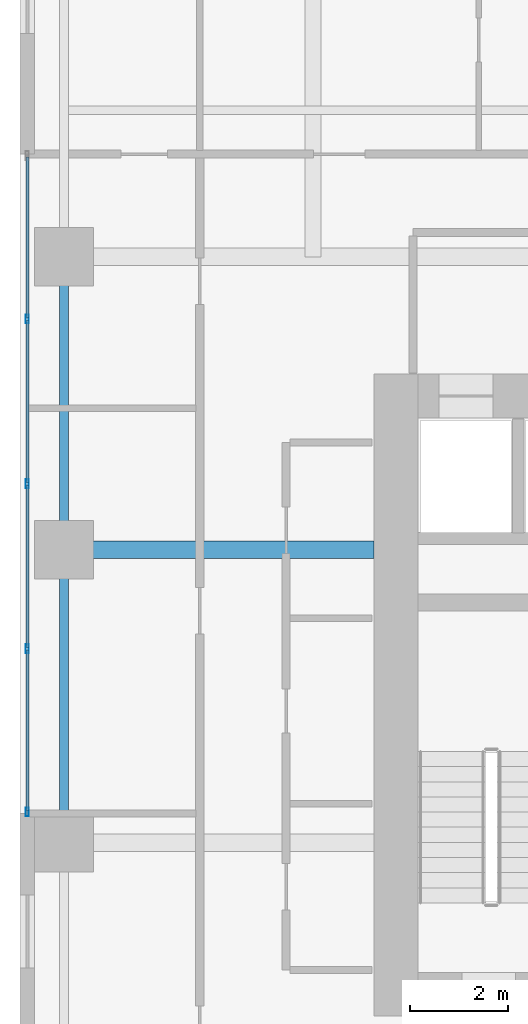
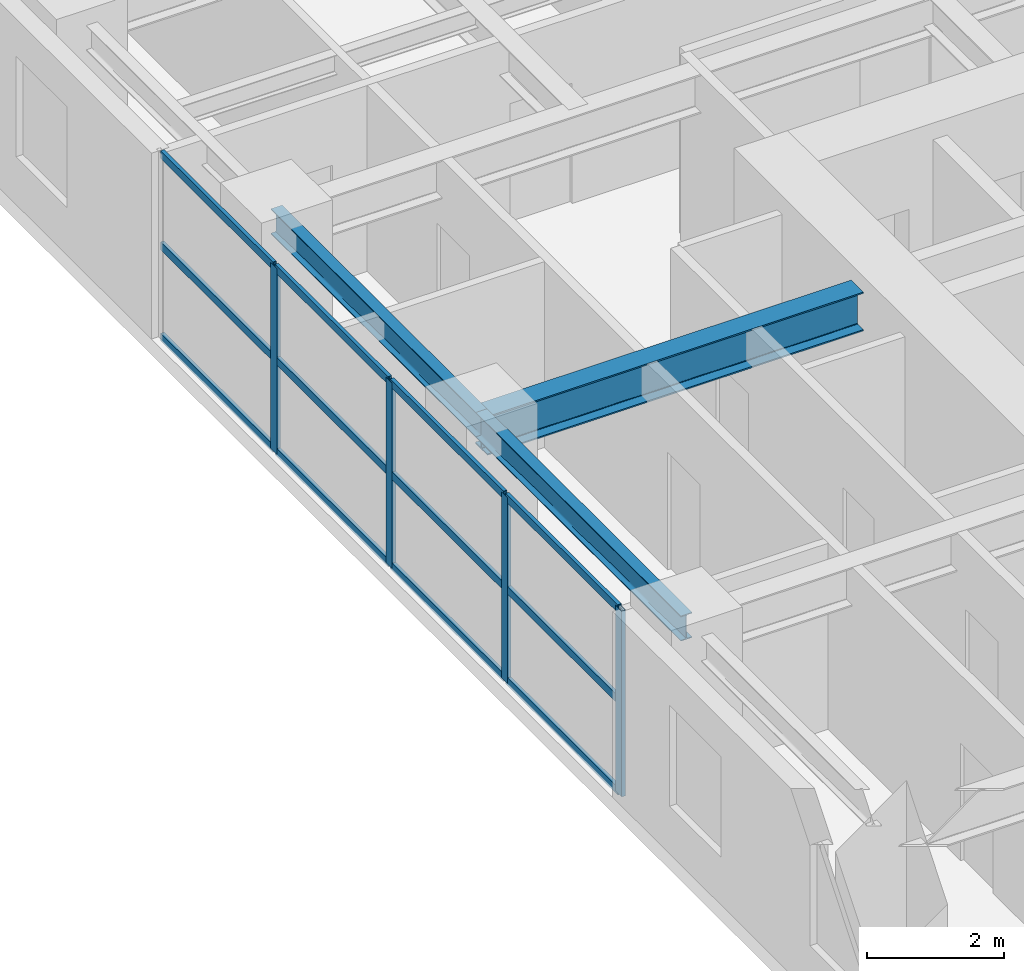
# One storey, part 5 of 24: 16 members, 3 beams, 1 element without a shape of its own.
"""IFC4 building model written with IfcOpenShell, lengths in metres."""

from ifc_helpers import new_model, si_unit, direction, frame, origin, origin_2d, place, context, subcontext, project, spatial, hollow_rectangle, i_section, extrude, source, transform, mapped, material, layer, layer_set, material_profile, profile_set, type_object, element, aggregate, save


model = new_model("IFC4")

# Units and contexts
model_context = context("Model", 3, precision=1e-05, world=origin(), true_north=direction((0.0, 1.0)))
body_context = subcontext(model_context, "Body", "Model", "MODEL_VIEW")
ifc_project = project(units=[si_unit("LENGTHUNIT", "METRE"), si_unit("AREAUNIT", "SQUARE_METRE"), si_unit("VOLUMEUNIT", "CUBIC_METRE"), si_unit("PLANEANGLEUNIT", "RADIAN"), si_unit("MASSUNIT", "GRAM", prefix="KILO")], contexts=[model_context])

# Site, building, storey
site_placement = place(None, origin())
site = spatial("IfcSite", under=ifc_project, at=site_placement, CompositionType="ELEMENT")
building_placement = place(site_placement, origin())
building = spatial("IfcBuilding", under=site, at=building_placement, Name="Khoralis Quay Care Tower", CompositionType="ELEMENT")
storey_placement = place(building_placement, frame((0.0, 0.0, 54.89990234375)))
storey = spatial("IfcBuildingStorey", under=building, at=storey_placement, Name="L14", CompositionType="ELEMENT", Elevation=54.89990234375)

# Beams
ifc_material_1 = material(Name="Steel S355", Category="steel")
ifc_material_profile_1 = material_profile(ifc_material_1, i_section(OverallWidth=0.18994140625, OverallDepth=0.449951171875, WebThickness=0.009521484375, FlangeThickness=0.0146484375, FilletRadius=0.02099609375, at=origin_2d()), Name="Steel S355")
ifc_profile_set_1 = profile_set([ifc_material_profile_1], Name="Steel S355")
beam_type_1 = type_object("IfcBeamType", Name="BM-IPE450", PredefinedType="SPANDREL", material=ifc_profile_set_1)
shared_shape_1 = source(origin(), body_context, "Body", "SweptSolid", [
    extrude(i_section(OverallWidth=0.18994140625, OverallDepth=0.449951171875, WebThickness=0.009521484375, FlangeThickness=0.0146484375, FilletRadius=0.02099609375, at=origin_2d()), origin(), (0.0, 0.0, 1.0), 6.0),
])
for number, where, z_axis, x_axis, name in (
    (1, (0.89990234375, 18.0, 3.09521484375), (0.0, 1.0, 0.0), (-1.0, 0.0, 0.0), "BM-TSP-L14-15"),
    (2, (0.89990234375, 24.0, 3.09521484375), (0.0, 1.0, 0.0), (-1.0, 0.0, 0.0), "BM-TSP-L14-16"),
):
    element("IfcBeam", number, at=place(storey_placement, frame(where, z_axis=z_axis, x_axis=x_axis)), inside=storey, type_object=beam_type_1, Name=name, PredefinedType="SPANDREL", context=body_context, shape_type="MappedRepresentation", body=[
        mapped(shared_shape_1, transform((0.0, 0.0, 0.0), scale=1.0)),
    ])
ifc_material_profile_2 = material_profile(ifc_material_1, i_section(OverallWidth=0.35498046875, OverallDepth=0.695068359375, WebThickness=0.015380859375, FlangeThickness=0.02490234375, FilletRadius=0.02001953125, at=origin_2d()), Name="Steel S355")
ifc_profile_set_2 = profile_set([ifc_material_profile_2], Name="Steel S355")
beam_type_2 = type_object("IfcBeamType", Name="BM-W690X217", PredefinedType="BEAM", material=ifc_profile_set_2)
shared_shape_2 = source(origin(), body_context, "Body", "SweptSolid", [
    extrude(i_section(OverallWidth=0.35498046875, OverallDepth=0.695068359375, WebThickness=0.015380859375, FlangeThickness=0.02490234375, FilletRadius=0.02001953125, at=origin_2d()), origin(), (0.0, 0.0, 1.0), 6.35205078125),
])
beam_placement = place(storey_placement, frame((0.89990234375, 24.0, 2.97265625), z_axis=(1.0, 0.0, 0.0), x_axis=(0.0, 1.0, 0.0)))
element("IfcBeam", 3, at=beam_placement, inside=storey, type_object=beam_type_2, Name="BM-TGXW-L14-240", PredefinedType="BEAM", context=body_context, shape_type="MappedRepresentation", body=[
    mapped(shared_shape_2, transform((0.0, 0.0, 0.0), scale=1.0)),
])

# Curtain wall, members
ifc_material_2 = material(Name="Pale anodised aluminium", Category="aluminium")
ifc_layer = layer(ifc_material_2, 0.179931640625)
ifc_layer_set = layer_set([ifc_layer], Name="Pale anodised aluminium")
curtain_wall_type = type_object("IfcCurtainWallType", Name="CW-SYS-Z1", PredefinedType="NOTDEFINED", material=ifc_layer_set)
curtain_wall_placement = place(storey_placement, origin())
curtain_wall = element("IfcCurtainWall", 4, at=curtain_wall_placement, inside=storey, type_object=curtain_wall_type, Name="L14 Unitised Curtain Wall CW-L14-P1-E15", PredefinedType="NOTDEFINED")
ifc_material_profile_3 = material_profile(ifc_material_2, hollow_rectangle(XDim=0.06494140625, YDim=0.179931640625, WallThickness=0.00390625, at=origin_2d()), Name="Pale anodised aluminium")
ifc_profile_set_3 = profile_set([ifc_material_profile_3], Name="Pale anodised aluminium")
member_type_1 = type_object("IfcMemberType", Name="CW-MUL-180", PredefinedType="MULLION", material=ifc_profile_set_3)
shared_shape_3 = source(origin(), body_context, "Body", "SweptSolid", [
    extrude(hollow_rectangle(XDim=0.06494140625, YDim=0.179931640625, WallThickness=0.00390625, at=origin_2d()), origin(), (0.0, 0.0, 1.0), 3.320068359375),
])
member_1_placement = place(storey_placement, frame((0.14990234375, 28.72509765625, 0.0), z_axis=(0.0, 0.0, 1.0), x_axis=(1.0, 0.0, 0.0)))
member_1 = element("IfcMember", 5, at=member_1_placement, type_object=member_type_1, Name="CW1 mullion 2", PredefinedType="MULLION", context=body_context, shape_type="MappedRepresentation", body=[
    mapped(shared_shape_3, transform((0.0, 0.0, 0.0), scale=1.0)),
])
member_2_placement = place(storey_placement, frame((0.14990234375, 25.35009765625, 0.0), z_axis=(0.0, 0.0, 1.0), x_axis=(1.0, 0.0, 0.0)))
member_2 = element("IfcMember", 6, at=member_2_placement, type_object=member_type_1, Name="CW1 mullion 3", PredefinedType="MULLION", context=body_context, shape_type="MappedRepresentation", body=[
    mapped(shared_shape_3, transform((0.0, 0.0, 0.0), scale=1.0)),
])
member_3_placement = place(storey_placement, frame((0.14990234375, 21.97509765625, 0.0), z_axis=(0.0, 0.0, 1.0), x_axis=(1.0, 0.0, 0.0)))
member_3 = element("IfcMember", 7, at=member_3_placement, type_object=member_type_1, Name="CW1 mullion 4", PredefinedType="MULLION", context=body_context, shape_type="MappedRepresentation", body=[
    mapped(shared_shape_3, transform((0.0, 0.0, 0.0), scale=1.0)),
])
member_4_placement = place(storey_placement, frame((0.14990234375, 18.6298828125, 0.0), z_axis=(0.0, 0.0, 1.0), x_axis=(1.0, 0.0, 0.0)))
member_4 = element("IfcMember", 8, at=member_4_placement, type_object=member_type_1, Name="CW1 mullion 5", PredefinedType="MULLION", context=body_context, shape_type="MappedRepresentation", body=[
    mapped(shared_shape_3, transform((0.0, 0.0, 0.0), scale=1.0)),
])
ifc_material_profile_4 = material_profile(ifc_material_2, hollow_rectangle(XDim=0.06005859375, YDim=0.139892578125, WallThickness=0.00390625, at=origin_2d()), Name="Pale anodised aluminium")
ifc_profile_set_4 = profile_set([ifc_material_profile_4], Name="Pale anodised aluminium")
member_type_2 = type_object("IfcMemberType", Name="CW-TRN-140", PredefinedType="USERDEFINED", material=ifc_profile_set_4)
shared_shape_4 = source(origin(), body_context, "Body", "SweptSolid", [
    extrude(hollow_rectangle(XDim=0.06005859375, YDim=0.139892578125, WallThickness=0.00390625, at=origin_2d()), origin(), (0.0, 0.0, 1.0), 3.28515625),
])
member_5_placement = place(storey_placement, frame((0.14990234375, 32.0400390625, 0.030029296875), z_axis=(0.0, -1.0, 0.0), x_axis=(1.0, 0.0, 0.0)))
member_5 = element("IfcMember", 9, at=member_5_placement, type_object=member_type_2, Name="CW1 transom 1.1", ObjectType="TRANSOM", PredefinedType="USERDEFINED", context=body_context, shape_type="MappedRepresentation", body=[
    mapped(shared_shape_4, transform((0.0, 0.0, 0.0), scale=1.0)),
])
member_6_placement = place(storey_placement, frame((0.14990234375, 32.0400390625, 1.66015625), z_axis=(0.0, -1.0, 0.0), x_axis=(1.0, 0.0, 0.0)))
member_6 = element("IfcMember", 10, at=member_6_placement, type_object=member_type_2, Name="CW1 transom 1.2", ObjectType="TRANSOM", PredefinedType="USERDEFINED", context=body_context, shape_type="MappedRepresentation", body=[
    mapped(shared_shape_4, transform((0.0, 0.0, 0.0), scale=1.0)),
])
member_7_placement = place(storey_placement, frame((0.14990234375, 32.0400390625, 3.2900390625), z_axis=(0.0, -1.0, 0.0), x_axis=(1.0, 0.0, 0.0)))
member_7 = element("IfcMember", 11, at=member_7_placement, type_object=member_type_2, Name="CW1 transom 1.3", ObjectType="TRANSOM", PredefinedType="USERDEFINED", context=body_context, shape_type="MappedRepresentation", body=[
    mapped(shared_shape_4, transform((0.0, 0.0, 0.0), scale=1.0)),
])
member_8_placement = place(storey_placement, frame((0.14990234375, 21.945068359375, 0.030029296875), z_axis=(0.0, -1.0, 0.0), x_axis=(1.0, 0.0, 0.0)))
member_8 = element("IfcMember", 12, at=member_8_placement, type_object=member_type_2, Name="CW1 transom 4.1", ObjectType="TRANSOM", PredefinedType="USERDEFINED", context=body_context, shape_type="MappedRepresentation", body=[
    mapped(shared_shape_4, transform((0.0, 0.0, 0.0), scale=1.0)),
])
member_9_placement = place(storey_placement, frame((0.14990234375, 21.945068359375, 1.66015625), z_axis=(0.0, -1.0, 0.0), x_axis=(1.0, 0.0, 0.0)))
member_9 = element("IfcMember", 13, at=member_9_placement, type_object=member_type_2, Name="CW1 transom 4.2", ObjectType="TRANSOM", PredefinedType="USERDEFINED", context=body_context, shape_type="MappedRepresentation", body=[
    mapped(shared_shape_4, transform((0.0, 0.0, 0.0), scale=1.0)),
])
member_10_placement = place(storey_placement, frame((0.14990234375, 21.945068359375, 3.2900390625), z_axis=(0.0, -1.0, 0.0), x_axis=(1.0, 0.0, 0.0)))
member_10 = element("IfcMember", 14, at=member_10_placement, type_object=member_type_2, Name="CW1 transom 4.3", ObjectType="TRANSOM", PredefinedType="USERDEFINED", context=body_context, shape_type="MappedRepresentation", body=[
    mapped(shared_shape_4, transform((0.0, 0.0, 0.0), scale=1.0)),
])
shared_shape_5 = source(origin(), body_context, "Body", "SweptSolid", [
    extrude(hollow_rectangle(XDim=0.06005859375, YDim=0.139892578125, WallThickness=0.00390625, at=origin_2d()), origin(), (0.0, 0.0, 1.0), 3.315185546875),
])
member_11_placement = place(storey_placement, frame((0.14990234375, 28.695068359375, 0.030029296875), z_axis=(0.0, -1.0, 0.0), x_axis=(1.0, 0.0, 0.0)))
member_11 = element("IfcMember", 15, at=member_11_placement, type_object=member_type_2, Name="CW1 transom 2.1", ObjectType="TRANSOM", PredefinedType="USERDEFINED", context=body_context, shape_type="MappedRepresentation", body=[
    mapped(shared_shape_5, transform((0.0, 0.0, 0.0), scale=1.0)),
])
member_12_placement = place(storey_placement, frame((0.14990234375, 28.695068359375, 1.66015625), z_axis=(0.0, -1.0, 0.0), x_axis=(1.0, 0.0, 0.0)))
member_12 = element("IfcMember", 16, at=member_12_placement, type_object=member_type_2, Name="CW1 transom 2.2", ObjectType="TRANSOM", PredefinedType="USERDEFINED", context=body_context, shape_type="MappedRepresentation", body=[
    mapped(shared_shape_5, transform((0.0, 0.0, 0.0), scale=1.0)),
])
member_13_placement = place(storey_placement, frame((0.14990234375, 28.695068359375, 3.2900390625), z_axis=(0.0, -1.0, 0.0), x_axis=(1.0, 0.0, 0.0)))
member_13 = element("IfcMember", 17, at=member_13_placement, type_object=member_type_2, Name="CW1 transom 2.3", ObjectType="TRANSOM", PredefinedType="USERDEFINED", context=body_context, shape_type="MappedRepresentation", body=[
    mapped(shared_shape_5, transform((0.0, 0.0, 0.0), scale=1.0)),
])
member_14_placement = place(storey_placement, frame((0.14990234375, 25.320068359375, 0.030029296875), z_axis=(0.0, -1.0, 0.0), x_axis=(1.0, 0.0, 0.0)))
member_14 = element("IfcMember", 18, at=member_14_placement, type_object=member_type_2, Name="CW1 transom 3.1", ObjectType="TRANSOM", PredefinedType="USERDEFINED", context=body_context, shape_type="MappedRepresentation", body=[
    mapped(shared_shape_5, transform((0.0, 0.0, 0.0), scale=1.0)),
])
member_15_placement = place(storey_placement, frame((0.14990234375, 25.320068359375, 1.66015625), z_axis=(0.0, -1.0, 0.0), x_axis=(1.0, 0.0, 0.0)))
member_15 = element("IfcMember", 19, at=member_15_placement, type_object=member_type_2, Name="CW1 transom 3.2", ObjectType="TRANSOM", PredefinedType="USERDEFINED", context=body_context, shape_type="MappedRepresentation", body=[
    mapped(shared_shape_5, transform((0.0, 0.0, 0.0), scale=1.0)),
])
member_16_placement = place(storey_placement, frame((0.14990234375, 25.320068359375, 3.2900390625), z_axis=(0.0, -1.0, 0.0), x_axis=(1.0, 0.0, 0.0)))
member_16 = element("IfcMember", 20, at=member_16_placement, type_object=member_type_2, Name="CW1 transom 3.3", ObjectType="TRANSOM", PredefinedType="USERDEFINED", context=body_context, shape_type="MappedRepresentation", body=[
    mapped(shared_shape_5, transform((0.0, 0.0, 0.0), scale=1.0)),
])
aggregate(curtain_wall, [member_1, member_2, member_3, member_4, member_5, member_6, member_7, member_11, member_12, member_13, member_14, member_15, member_16, member_8, member_9, member_10])

save(model, "model.ifc")
